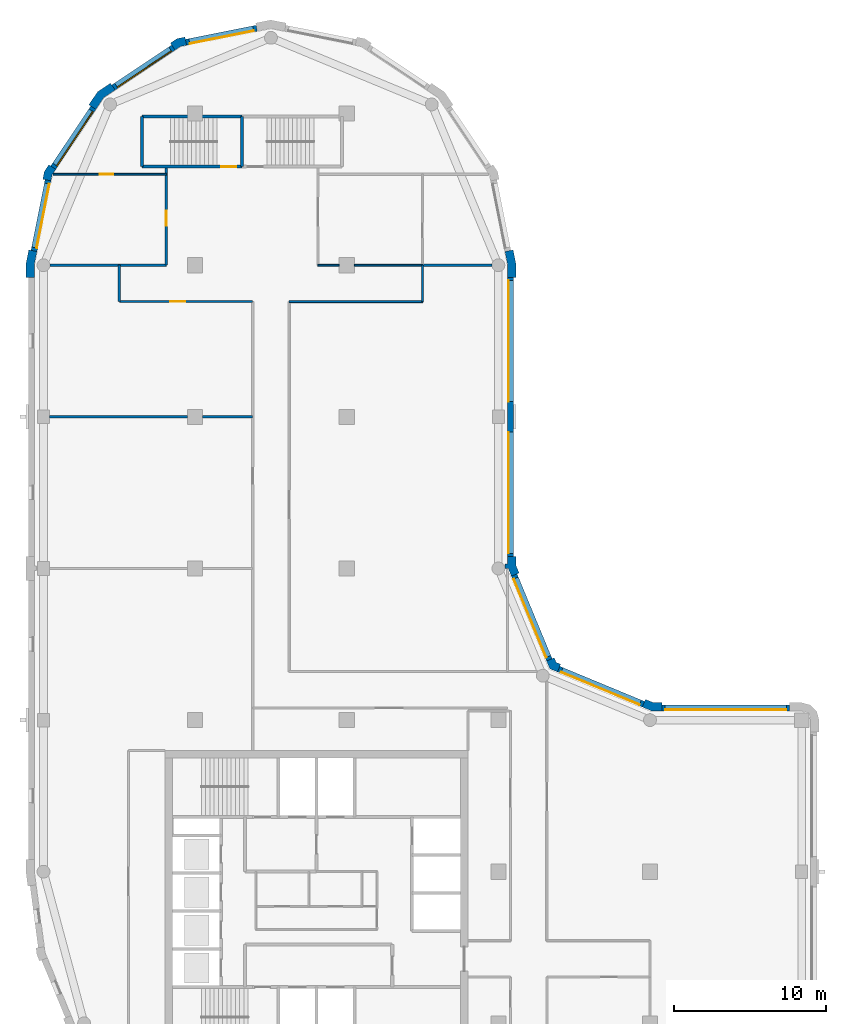
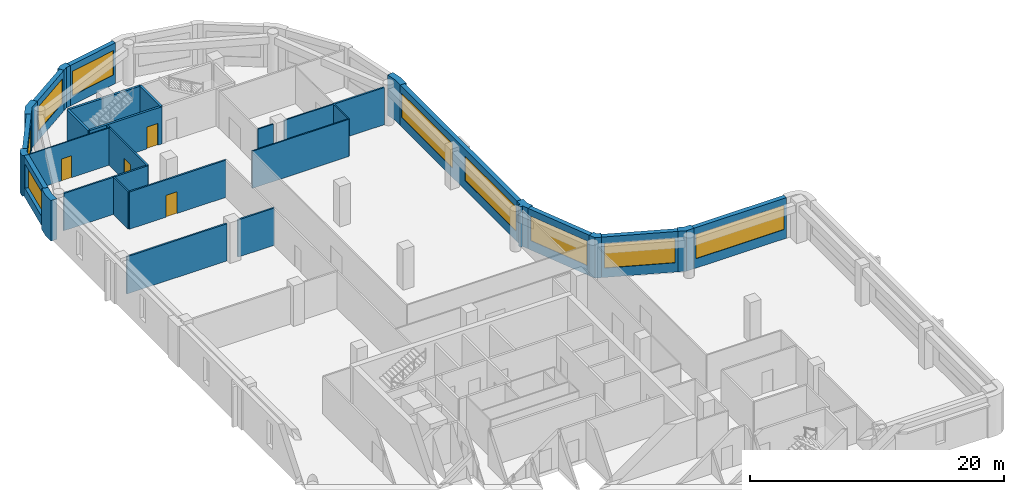
# One storey, part 5 of 9: 32 walls, 9 windows, 4 doors, 13 openings.
"""IFC4 building model written with IfcOpenShell, lengths in metres."""

from ifc_helpers import new_model, si_unit, direction, frame, frame_2d, origin, place, context, subcontext, project, spatial, polyline, rectangle, outline, extrude, material, layer, layer_set, type_object, element, fill, save


model = new_model("IFC4")

# Units and contexts
model_context = context("Model", 3, precision=1e-05, world=origin(), true_north=direction((0.0, 1.0)))
body_context = subcontext(model_context, "Body", "Model", "MODEL_VIEW")
ifc_project = project(units=[si_unit("LENGTHUNIT", "METRE"), si_unit("AREAUNIT", "SQUARE_METRE"), si_unit("VOLUMEUNIT", "CUBIC_METRE"), si_unit("PLANEANGLEUNIT", "RADIAN"), si_unit("MASSUNIT", "GRAM", prefix="KILO")], contexts=[model_context])

# Site, building, storey
site_placement = place(None, origin())
site = spatial("IfcSite", under=ifc_project, at=site_placement, CompositionType="ELEMENT")
building_placement = place(site_placement, origin())
building = spatial("IfcBuilding", under=site, at=building_placement, Name="Qaws Garden Tower", CompositionType="ELEMENT")
storey_placement = place(building_placement, frame((0.0, 0.0, 259.199951171875)))
storey = spatial("IfcBuildingStorey", under=building, at=storey_placement, Name="L62", CompositionType="ELEMENT", Elevation=259.199951171875)

# Wall, opening, window
ifc_material_1 = material(Name="Clay facing brick masonry", Category="masonry")
ifc_layer_1 = layer(ifc_material_1, 0.39990234375)
ifc_layer_set_1 = layer_set([ifc_layer_1], Name="Clay facing brick masonry")
wall_type_1 = type_object("IfcWallType", Name="Brick infill wall 400", PredefinedType="SOLIDWALL", material=ifc_layer_set_1)
wall_1_placement = place(storey_placement, frame((49.199951171875, 30.800048828125, 0.0), z_axis=(0.0, 0.0, 1.0), x_axis=(-1.0, 0.0, 0.0)))
wall_1 = element("IfcWall", 1, at=wall_1_placement, inside=storey, type_object=wall_type_1, Name="E-L62-infill-06", PredefinedType="SOLIDWALL", context=body_context, shape_type="SweptSolid", body=[
    extrude(rectangle(XDim=8.39990234375, YDim=0.39990234375, at=frame_2d((4.199951171875, 0.0))), origin(), (0.0, 0.0, 1.0), 3.900146484375),
])
opening_1_placement = place(wall_1_placement, frame((0.199951171875, 0.0, 0.89990234375)))
opening_1 = element("IfcOpeningElement", 2, at=opening_1_placement, cuts=wall_1, Name="Opening W01", PredefinedType="OPENING", context=body_context, shape_type="SweptSolid", body=[
    extrude(rectangle(XDim=8.0, YDim=2.35009765625, at=frame_2d((4.0, 1.175048828125))), frame((0.0, 0.2099609375, 0.0), z_axis=(0.0, -1.0, 0.0), x_axis=(1.0, 0.0, 0.0)), (0.0, 0.0, 1.0), 0.419921875),
])
ifc_material_2 = material(Name="Aluminium framed window, clear glazing", Category="aluminium")
window_type_1 = type_object("IfcWindowType", Name="Ribbon window 8000 x 2350", PartitioningType="DOUBLE_PANEL_VERTICAL", PredefinedType="WINDOW", material=ifc_material_2)
window_1_placement = place(opening_1_placement, origin())
window_1 = element("IfcWindow", 3, at=window_1_placement, inside=storey, type_object=window_type_1, Name="E-L62-window-06-0", OverallHeight=2.35009765625, OverallWidth=8.0, PartitioningType="SINGLE_PANEL", PredefinedType="WINDOW", context=body_context, shape_type="SweptSolid", body=[
    extrude(rectangle(XDim=8.0, YDim=2.35009765625, at=frame_2d((4.0, 1.175048828125))), frame((0.0, 0.159912109375, 0.0), z_axis=(0.0, -1.0, 0.0), x_axis=(1.0, 0.0, 0.0)), (0.0, 0.0, 1.0), 0.06005859375),
])
fill(opening_1, window_1)

wall_2_placement = place(storey_placement, frame((39.56689453125, 31.04541015625, 0.0), z_axis=(0.0, 0.0, 1.0), x_axis=(-0.923891000409, 0.382655745237, 0.0)))
wall_2 = element("IfcWall", 4, at=wall_2_placement, inside=storey, type_object=wall_type_1, Name="E-L62-infill-07", PredefinedType="SOLIDWALL", context=body_context, shape_type="SweptSolid", body=[
    extrude(rectangle(XDim=6.053466796875, YDim=0.39990234375, at=frame_2d((3.02685546875, 0.0))), origin(), (0.0, 0.0, 1.0), 3.900146484375),
])
opening_2_placement = place(wall_2_placement, frame((0.226806640625, 0.0, 0.89990234375)))
opening_2 = element("IfcOpeningElement", 5, at=opening_2_placement, cuts=wall_2, Name="Opening W04", PredefinedType="OPENING", context=body_context, shape_type="SweptSolid", body=[
    extrude(rectangle(XDim=5.60009765625, YDim=2.35009765625, at=frame_2d((2.800048828125, 1.175048828125))), frame((0.0, 0.2099609375, 0.0), z_axis=(0.0, -1.0, 0.0), x_axis=(1.0, 0.0, 0.0)), (0.0, 0.0, 1.0), 0.419921875),
])
ifc_material_3 = material(Name="Aluminium framed window, clear glazing", Category="aluminium")
window_type_2 = type_object("IfcWindowType", Name="Ribbon window 5600 x 2350", PartitioningType="DOUBLE_PANEL_VERTICAL", PredefinedType="WINDOW", material=ifc_material_3)
window_2_placement = place(opening_2_placement, origin())
window_2 = element("IfcWindow", 6, at=window_2_placement, inside=storey, type_object=window_type_2, Name="E-L62-window-07-0", OverallHeight=2.35009765625, OverallWidth=5.60009765625, PartitioningType="SINGLE_PANEL", PredefinedType="WINDOW", context=body_context, shape_type="SweptSolid", body=[
    extrude(rectangle(XDim=5.60009765625, YDim=2.35009765625, at=frame_2d((2.800048828125, 1.175048828125))), frame((0.0, 0.159912109375, 0.0), z_axis=(0.0, -1.0, 0.0), x_axis=(1.0, 0.0, 0.0)), (0.0, 0.0, 1.0), 0.06005859375),
])
fill(opening_2, window_2)

wall_3_placement = place(storey_placement, frame((33.36181640625, 33.97412109375, 0.0), z_axis=(0.0, 0.0, 1.0), x_axis=(-0.382655745237, 0.923891000409, 0.0)))
wall_3 = element("IfcWall", 7, at=wall_3_placement, inside=storey, type_object=wall_type_1, Name="E-L62-infill-08", PredefinedType="SOLIDWALL", context=body_context, shape_type="SweptSolid", body=[
    extrude(rectangle(XDim=6.053466796875, YDim=0.39990234375, at=frame_2d((3.02685546875, 0.0))), origin(), (0.0, 0.0, 1.0), 3.900146484375),
])
opening_3_placement = place(wall_3_placement, frame((0.226806640625, 0.0, 0.89990234375)))
opening_3 = element("IfcOpeningElement", 8, at=opening_3_placement, cuts=wall_3, Name="Opening W04", PredefinedType="OPENING", context=body_context, shape_type="SweptSolid", body=[
    extrude(rectangle(XDim=5.60009765625, YDim=2.35009765625, at=frame_2d((2.800048828125, 1.175048828125))), frame((0.0, 0.2099609375, 0.0), z_axis=(0.0, -1.0, 0.0), x_axis=(1.0, 0.0, 0.0)), (0.0, 0.0, 1.0), 0.419921875),
])
window_3_placement = place(opening_3_placement, origin())
window_3 = element("IfcWindow", 9, at=window_3_placement, inside=storey, type_object=window_type_2, Name="E-L62-window-08-0", OverallHeight=2.35009765625, OverallWidth=5.60009765625, PartitioningType="SINGLE_PANEL", PredefinedType="WINDOW", context=body_context, shape_type="SweptSolid", body=[
    extrude(rectangle(XDim=5.60009765625, YDim=2.35009765625, at=frame_2d((2.800048828125, 1.175048828125))), frame((0.0, 0.159912109375, 0.0), z_axis=(0.0, -1.0, 0.0), x_axis=(1.0, 0.0, 0.0)), (0.0, 0.0, 1.0), 0.06005859375),
])
fill(opening_3, window_3)

# Wall, openings, windows
wall_4_placement = place(storey_placement, frame((30.800048828125, 40.800048828125, 0.0), z_axis=(0.0, 0.0, 1.0), x_axis=(0.0, 1.0, 0.0)))
wall_4 = element("IfcWall", 10, at=wall_4_placement, inside=storey, type_object=wall_type_1, Name="E-L62-infill-09", PredefinedType="SOLIDWALL", context=body_context, shape_type="SweptSolid", body=[
    extrude(rectangle(XDim=18.39990234375, YDim=0.39990234375, at=frame_2d((9.199951171875, 0.0))), origin(), (0.0, 0.0, 1.0), 3.900146484375),
])
opening_4_placement = place(wall_4_placement, frame((0.199951171875, 0.0, 0.89990234375)))
opening_4 = element("IfcOpeningElement", 11, at=opening_4_placement, cuts=wall_4, Name="Opening W01", PredefinedType="OPENING", context=body_context, shape_type="SweptSolid", body=[
    extrude(rectangle(XDim=8.0, YDim=2.35009765625, at=frame_2d((4.0, 1.175048828125))), frame((0.0, 0.2099609375, 0.0), z_axis=(0.0, -1.0, 0.0), x_axis=(1.0, 0.0, 0.0)), (0.0, 0.0, 1.0), 0.419921875),
])
opening_5_placement = place(wall_4_placement, frame((10.199951171875, 0.0, 0.89990234375)))
opening_5 = element("IfcOpeningElement", 12, at=opening_5_placement, cuts=wall_4, Name="Opening W01", PredefinedType="OPENING", context=body_context, shape_type="SweptSolid", body=[
    extrude(rectangle(XDim=8.0, YDim=2.35009765625, at=frame_2d((4.0, 1.175048828125))), frame((0.0, 0.2099609375, 0.0), z_axis=(0.0, -1.0, 0.0), x_axis=(1.0, 0.0, 0.0)), (0.0, 0.0, 1.0), 0.419921875),
])
window_4_placement = place(opening_4_placement, origin())
window_4 = element("IfcWindow", 13, at=window_4_placement, inside=storey, type_object=window_type_1, Name="E-L62-window-09-0", OverallHeight=2.35009765625, OverallWidth=8.0, PartitioningType="SINGLE_PANEL", PredefinedType="WINDOW", context=body_context, shape_type="SweptSolid", body=[
    extrude(rectangle(XDim=8.0, YDim=2.35009765625, at=frame_2d((4.0, 1.175048828125))), frame((0.0, 0.159912109375, 0.0), z_axis=(0.0, -1.0, 0.0), x_axis=(1.0, 0.0, 0.0)), (0.0, 0.0, 1.0), 0.06005859375),
])
fill(opening_4, window_4)
window_5_placement = place(opening_5_placement, origin())
window_5 = element("IfcWindow", 14, at=window_5_placement, inside=storey, type_object=window_type_1, Name="E-L62-window-10-0", OverallHeight=2.35009765625, OverallWidth=8.0, PartitioningType="SINGLE_PANEL", PredefinedType="WINDOW", context=body_context, shape_type="SweptSolid", body=[
    extrude(rectangle(XDim=8.0, YDim=2.35009765625, at=frame_2d((4.0, 1.175048828125))), frame((0.0, 0.159912109375, 0.0), z_axis=(0.0, -1.0, 0.0), x_axis=(1.0, 0.0, 0.0)), (0.0, 0.0, 1.0), 0.06005859375),
])
fill(opening_5, window_5)

# Wall, opening, window
wall_5_placement = place(storey_placement, frame((14.059326171875, 75.628662109375, 0.0), z_axis=(0.0, 0.0, 1.0), x_axis=(-0.98078364709, -0.195098533057, 0.0)))
wall_5 = element("IfcWall", 15, at=wall_5_placement, inside=storey, type_object=wall_type_1, Name="E-L62-infill-15", PredefinedType="SOLIDWALL", context=body_context, shape_type="SweptSolid", body=[
    extrude(rectangle(XDim=4.752685546875, YDim=0.39990234375, at=frame_2d((2.37646484375, 0.0))), origin(), (0.0, 0.0, 1.0), 3.900146484375),
])
opening_6_placement = place(wall_5_placement, frame((0.226318359375, 0.0, 0.89990234375)))
opening_6 = element("IfcOpeningElement", 16, at=opening_6_placement, cuts=wall_5, Name="Opening W06", PredefinedType="OPENING", context=body_context, shape_type="SweptSolid", body=[
    extrude(rectangle(XDim=4.300048828125, YDim=2.35009765625, at=frame_2d((2.14990234375, 1.175048828125))), frame((0.0, 0.2099609375, 0.0), z_axis=(0.0, -1.0, 0.0), x_axis=(1.0, 0.0, 0.0)), (0.0, 0.0, 1.0), 0.419921875),
])
ifc_material_4 = material(Name="Aluminium framed window, clear glazing", Category="aluminium")
window_type_3 = type_object("IfcWindowType", Name="Ribbon window 4300 x 2350", PartitioningType="DOUBLE_PANEL_VERTICAL", PredefinedType="WINDOW", material=ifc_material_4)
window_6_placement = place(opening_6_placement, origin())
window_6 = element("IfcWindow", 17, at=window_6_placement, inside=storey, type_object=window_type_3, Name="E-L62-window-15-0", OverallHeight=2.35009765625, OverallWidth=4.300048828125, PartitioningType="SINGLE_PANEL", PredefinedType="WINDOW", context=body_context, shape_type="SweptSolid", body=[
    extrude(rectangle(XDim=4.300048828125, YDim=2.35009765625, at=frame_2d((2.14990234375, 1.175048828125))), frame((0.0, 0.159912109375, 0.0), z_axis=(0.0, -1.0, 0.0), x_axis=(1.0, 0.0, 0.0)), (0.0, 0.0, 1.0), 0.06005859375),
])
fill(opening_6, window_6)

wall_6_placement = place(storey_placement, frame((8.56591796875, 74.356689453125, 0.0), z_axis=(0.0, 0.0, 1.0), x_axis=(-0.831488775454, -0.555541552266, 0.0)))
wall_6 = element("IfcWall", 18, at=wall_6_placement, inside=storey, type_object=wall_type_1, Name="E-L62-infill-16", PredefinedType="SOLIDWALL", context=body_context, shape_type="SweptSolid", body=[
    extrude(rectangle(XDim=4.752685546875, YDim=0.39990234375, at=frame_2d((2.37646484375, 0.0))), origin(), (0.0, 0.0, 1.0), 3.900146484375),
])
opening_7_placement = place(wall_6_placement, frame((0.226318359375, 0.0, 0.89990234375)))
opening_7 = element("IfcOpeningElement", 19, at=opening_7_placement, cuts=wall_6, Name="Opening W06", PredefinedType="OPENING", context=body_context, shape_type="SweptSolid", body=[
    extrude(rectangle(XDim=4.300048828125, YDim=2.35009765625, at=frame_2d((2.14990234375, 1.175048828125))), frame((0.0, 0.2099609375, 0.0), z_axis=(0.0, -1.0, 0.0), x_axis=(1.0, 0.0, 0.0)), (0.0, 0.0, 1.0), 0.419921875),
])
window_7_placement = place(opening_7_placement, origin())
window_7 = element("IfcWindow", 20, at=window_7_placement, inside=storey, type_object=window_type_3, Name="E-L62-window-16-0", OverallHeight=2.35009765625, OverallWidth=4.300048828125, PartitioningType="SINGLE_PANEL", PredefinedType="WINDOW", context=body_context, shape_type="SweptSolid", body=[
    extrude(rectangle(XDim=4.300048828125, YDim=2.35009765625, at=frame_2d((2.14990234375, 1.175048828125))), frame((0.0, 0.159912109375, 0.0), z_axis=(0.0, -1.0, 0.0), x_axis=(1.0, 0.0, 0.0)), (0.0, 0.0, 1.0), 0.06005859375),
])
fill(opening_7, window_7)

wall_7_placement = place(storey_placement, frame((3.28369140625, 70.385986328125, 0.0), z_axis=(0.0, 0.0, 1.0), x_axis=(-0.555541552266, -0.831488775454, 0.0)))
wall_7 = element("IfcWall", 21, at=wall_7_placement, inside=storey, type_object=wall_type_1, Name="E-L62-infill-17", PredefinedType="SOLIDWALL", context=body_context, shape_type="SweptSolid", body=[
    extrude(rectangle(XDim=4.752685546875, YDim=0.39990234375, at=frame_2d((2.37646484375, 0.0))), origin(), (0.0, 0.0, 1.0), 3.900146484375),
])
opening_8_placement = place(wall_7_placement, frame((0.226318359375, 0.0, 0.89990234375)))
opening_8 = element("IfcOpeningElement", 22, at=opening_8_placement, cuts=wall_7, Name="Opening W06", PredefinedType="OPENING", context=body_context, shape_type="SweptSolid", body=[
    extrude(rectangle(XDim=4.300048828125, YDim=2.35009765625, at=frame_2d((2.14990234375, 1.175048828125))), frame((0.0, 0.2099609375, 0.0), z_axis=(0.0, -1.0, 0.0), x_axis=(1.0, 0.0, 0.0)), (0.0, 0.0, 1.0), 0.419921875),
])
window_8_placement = place(opening_8_placement, origin())
window_8 = element("IfcWindow", 23, at=window_8_placement, inside=storey, type_object=window_type_3, Name="E-L62-window-17-0", OverallHeight=2.35009765625, OverallWidth=4.300048828125, PartitioningType="SINGLE_PANEL", PredefinedType="WINDOW", context=body_context, shape_type="SweptSolid", body=[
    extrude(rectangle(XDim=4.300048828125, YDim=2.35009765625, at=frame_2d((2.14990234375, 1.175048828125))), frame((0.0, 0.159912109375, 0.0), z_axis=(0.0, -1.0, 0.0), x_axis=(1.0, 0.0, 0.0)), (0.0, 0.0, 1.0), 0.06005859375),
])
fill(opening_8, window_8)

wall_8_placement = place(storey_placement, frame((0.298583984375, 65.60205078125, 0.0), z_axis=(0.0, 0.0, 1.0), x_axis=(-0.195098533057, -0.98078364709, 0.0)))
wall_8 = element("IfcWall", 24, at=wall_8_placement, inside=storey, type_object=wall_type_1, Name="E-L62-infill-18", PredefinedType="SOLIDWALL", context=body_context, shape_type="SweptSolid", body=[
    extrude(rectangle(XDim=4.752685546875, YDim=0.39990234375, at=frame_2d((2.37646484375, 0.0))), origin(), (0.0, 0.0, 1.0), 3.900146484375),
])
opening_9_placement = place(wall_8_placement, frame((0.226318359375, 0.0, 0.89990234375)))
opening_9 = element("IfcOpeningElement", 25, at=opening_9_placement, cuts=wall_8, Name="Opening W06", PredefinedType="OPENING", context=body_context, shape_type="SweptSolid", body=[
    extrude(rectangle(XDim=4.300048828125, YDim=2.35009765625, at=frame_2d((2.14990234375, 1.175048828125))), frame((0.0, 0.2099609375, 0.0), z_axis=(0.0, -1.0, 0.0), x_axis=(1.0, 0.0, 0.0)), (0.0, 0.0, 1.0), 0.419921875),
])
window_9_placement = place(opening_9_placement, origin())
window_9 = element("IfcWindow", 26, at=window_9_placement, inside=storey, type_object=window_type_3, Name="E-L62-window-18-0", OverallHeight=2.35009765625, OverallWidth=4.300048828125, PartitioningType="SINGLE_PANEL", PredefinedType="WINDOW", context=body_context, shape_type="SweptSolid", body=[
    extrude(rectangle(XDim=4.300048828125, YDim=2.35009765625, at=frame_2d((2.14990234375, 1.175048828125))), frame((0.0, 0.159912109375, 0.0), z_axis=(0.0, -1.0, 0.0), x_axis=(1.0, 0.0, 0.0)), (0.0, 0.0, 1.0), 0.06005859375),
])
fill(opening_9, window_9)

# Walls
ifc_material_5 = material(Name="Clay facing brick masonry", Category="masonry")
ifc_layer_2 = layer(ifc_material_5, 0.550048828125)
ifc_layer_set_2 = layer_set([ifc_layer_2], Name="Clay facing brick masonry")
wall_type_2 = type_object("IfcWallType", Name="Brick kink pier 550 x 600", PredefinedType="SOLIDWALL", material=ifc_layer_set_2)
placement = place(storey_placement, origin())
element("IfcWall", 27, at=placement, inside=storey, type_object=wall_type_2, Name="E-L62-pier-16", PredefinedType="SOLIDWALL", context=body_context, shape_type="SweptSolid", body=[
    extrude(outline(polyline([(9.35888671875, 74.8974609375), (9.32958984375, 75.044677734375), (8.81103515625, 74.94140625), (8.371337890625, 74.647705078125), (8.454833984375, 74.52294921875), (8.677001953125, 74.1904296875), (9.025634765625, 74.42333984375), (9.43701171875, 74.505126953125), (9.35888671875, 74.8974609375)])), origin(), (0.0, 0.0, 1.0), 3.900146484375),
])
element("IfcWall", 28, at=placement, inside=storey, type_object=wall_type_2, Name="E-L62-pier-18", PredefinedType="SOLIDWALL", context=body_context, shape_type="SweptSolid", body=[
    extrude(outline(polyline([(0.47705078125, 66.545166015625), (0.352294921875, 66.628662109375), (0.05859375, 66.18896484375), (-0.044677734375, 65.67041015625), (0.1025390625, 65.64111328125), (0.494873046875, 65.56298828125), (0.57666015625, 65.974365234375), (0.8095703125, 66.322998046875), (0.47705078125, 66.545166015625)])), origin(), (0.0, 0.0, 1.0), 3.900146484375),
])
ifc_material_6 = material(Name="Clay facing brick masonry", Category="masonry")
ifc_layer_3 = layer(ifc_material_6, 0.550048828125)
ifc_layer_set_3 = layer_set([ifc_layer_3], Name="Clay facing brick masonry")
wall_type_3 = type_object("IfcWallType", Name="Brick pier 550 x 1600", PredefinedType="SOLIDWALL", material=ifc_layer_set_3)
element("IfcWall", 29, at=placement, inside=storey, type_object=wall_type_3, Name="E-L62-pier-07", PredefinedType="SOLIDWALL", context=body_context, shape_type="SweptSolid", body=[
    extrude(outline(polyline([(40.800048828125, 31.0), (40.800048828125, 31.14990234375), (40.228759765625, 31.14990234375), (39.700927734375, 31.36865234375), (39.6435546875, 31.22998046875), (39.490478515625, 30.860595703125), (40.119384765625, 30.60009765625), (40.800048828125, 30.60009765625), (40.800048828125, 31.0)])), origin(), (0.0, 0.0, 1.0), 3.900146484375),
])
element("IfcWall", 30, at=placement, inside=storey, type_object=wall_type_3, Name="E-L62-pier-08", PredefinedType="SOLIDWALL", context=body_context, shape_type="SweptSolid", body=[
    extrude(outline(polyline([(34.05078125, 33.546630859375), (34.108154296875, 33.685302734375), (33.80908203125, 33.80908203125), (33.685302734375, 34.108154296875), (33.546630859375, 34.05078125), (33.177001953125, 33.897705078125), (33.38818359375, 33.38818359375), (33.897705078125, 33.177001953125), (34.05078125, 33.546630859375)])), origin(), (0.0, 0.0, 1.0), 3.900146484375),
])
element("IfcWall", 31, at=placement, inside=storey, type_object=wall_type_3, Name="E-L62-pier-09", PredefinedType="SOLIDWALL", context=body_context, shape_type="SweptSolid", body=[
    extrude(outline(polyline([(30.6201171875, 39.995361328125), (30.6201171875, 40.071044921875), (30.860595703125, 39.490478515625), (31.22998046875, 39.6435546875), (31.36865234375, 39.700927734375), (31.14990234375, 40.228759765625), (31.14990234375, 40.800048828125), (31.0, 40.800048828125), (30.60009765625, 40.800048828125), (30.60009765625, 40.29541015625), (30.425048828125, 40.29541015625), (30.425048828125, 39.995361328125), (30.6201171875, 39.995361328125)])), origin(), (0.0, 0.0, 1.0), 3.900146484375),
])
element("IfcWall", 32, at=placement, inside=storey, type_object=wall_type_3, Name="E-L62-pier-11", PredefinedType="SOLIDWALL", context=body_context, shape_type="SweptSolid", body=[
    extrude(outline(polyline([(31.0, 59.199951171875), (31.14990234375, 59.199951171875), (31.14990234375, 60.11328125), (30.971923828125, 61.009033203125), (30.82470703125, 60.979736328125), (30.432373046875, 60.901611328125), (30.60009765625, 60.05908203125), (30.60009765625, 59.199951171875), (31.0, 59.199951171875)])), origin(), (0.0, 0.0, 1.0), 3.900146484375),
])
element("IfcWall", 33, at=placement, inside=storey, type_object=wall_type_3, Name="E-L62-pier-17", PredefinedType="SOLIDWALL", context=body_context, shape_type="SweptSolid", body=[
    extrude(outline(polyline([(4.5029296875, 71.882568359375), (4.419677734375, 72.00732421875), (3.564208984375, 71.435791015625), (2.99267578125, 70.580322265625), (3.117431640625, 70.4970703125), (3.449951171875, 70.274658203125), (3.9609375, 71.0390625), (4.725341796875, 71.550048828125), (4.5029296875, 71.882568359375)])), origin(), (0.0, 0.0, 1.0), 3.900146484375),
])
element("IfcWall", 34, at=placement, inside=storey, type_object=wall_type_3, Name="E-L62-pier-19", PredefinedType="SOLIDWALL", context=body_context, shape_type="SweptSolid", body=[
    extrude(outline(polyline([(-0.82470703125, 60.979736328125), (-0.971923828125, 61.009033203125), (-1.14990234375, 60.11328125), (-1.14990234375, 59.199951171875), (-1.0, 59.199951171875), (-0.60009765625, 59.199951171875), (-0.60009765625, 60.05908203125), (-0.432373046875, 60.901611328125), (-0.82470703125, 60.979736328125)])), origin(), (0.0, 0.0, 1.0), 3.900146484375),
])

# Wall, opening, door
ifc_material_7 = material(Name="Concrete C60", Category="concrete")
ifc_layer_4 = layer(ifc_material_7, 0.199951171875)
ifc_layer_set_4 = layer_set([ifc_layer_4], Name="Concrete C60")
wall_type_4 = type_object("IfcWallType", Name="Core shaft wall 200 C60", PredefinedType="SHEAR", material=ifc_layer_set_4)
wall_17_placement = place(storey_placement, frame((6.5, 66.5, 0.0), z_axis=(0.0, 0.0, 1.0), x_axis=(1.0, 0.0, 0.0)))
wall_17 = element("IfcWall", 35, at=wall_17_placement, inside=storey, type_object=wall_type_4, Name="Shaft wall", PredefinedType="SHEAR", context=body_context, shape_type="SweptSolid", body=[
    extrude(rectangle(XDim=6.60009765625, YDim=0.199951171875, at=frame_2d((3.300048828125, 0.0))), origin(), (0.0, 0.0, 1.0), 3.580078125),
])
opening_10_placement = place(wall_17_placement, frame((5.22509765625, 0.0, 0.0)))
opening_10 = element("IfcOpeningElement", 36, at=opening_10_placement, cuts=wall_17, Name="Opening SD13", PredefinedType="OPENING", context=body_context, shape_type="SweptSolid", body=[
    extrude(rectangle(XDim=1.0, YDim=2.10009765625, at=frame_2d((0.5, 1.050048828125))), frame((0.0, 0.10986328125, 0.0), z_axis=(0.0, -1.0, 0.0), x_axis=(1.0, 0.0, 0.0)), (0.0, 0.0, 1.0), 0.219970703125),
])
ifc_material_8 = material(Name="Steel S235", Category="steel")
door_type_1 = type_object("IfcDoorType", Name="Stair door 1000x2100", OperationType="SINGLE_SWING_RIGHT", PredefinedType="DOOR", material=ifc_material_8)
door_1_placement = place(opening_10_placement, origin())
door_1 = element("IfcDoor", 37, at=door_1_placement, inside=storey, type_object=door_type_1, Name="Stair 6 door", OperationType="SINGLE_SWING_RIGHT", OverallHeight=2.10009765625, OverallWidth=1.0, PredefinedType="DOOR", context=body_context, shape_type="SweptSolid", body=[
    extrude(rectangle(XDim=1.0, YDim=2.10009765625, at=frame_2d((0.5, 1.050048828125))), frame((0.0, 0.02490234375, 0.0), z_axis=(0.0, -1.0, 0.0), x_axis=(1.0, 0.0, 0.0)), (0.0, 0.0, 1.0), 0.050048828125),
])
fill(opening_10, door_1)

# Walls
wall_18_placement = place(storey_placement, frame((6.5, 69.800048828125, 0.0), z_axis=(0.0, 0.0, 1.0), x_axis=(1.0, 0.0, 0.0)))
element("IfcWall", 38, at=wall_18_placement, inside=storey, type_object=wall_type_4, Name="Shaft wall", PredefinedType="SHEAR", context=body_context, shape_type="SweptSolid", body=[
    extrude(rectangle(XDim=6.60009765625, YDim=0.199951171875, at=frame_2d((3.300048828125, 0.0))), origin(), (0.0, 0.0, 1.0), 3.580078125),
])
for number, where, z_axis, x_axis, name in (
    (39, (6.5, 66.5, 0.0), (0.0, 0.0, 1.0), (0.0, 1.0, 0.0), "Shaft wall"),
    (40, (13.10009765625, 66.5, 0.0), (0.0, 0.0, 1.0), (0.0, 1.0, 0.0), "Shaft wall"),
):
    element("IfcWall", number, at=place(storey_placement, frame(where, z_axis=z_axis, x_axis=x_axis)), inside=storey, type_object=wall_type_4, Name=name, PredefinedType="SHEAR", context=body_context, shape_type="SweptSolid", body=[
        extrude(rectangle(XDim=3.300048828125, YDim=0.199951171875, at=frame_2d((1.64990234375, 0.0))), origin(), (0.0, 0.0, 1.0), 3.580078125),
    ])
ifc_material_9 = material(Name="Glass and aluminium framing", Category="aluminium")
ifc_layer_5 = layer(ifc_material_9, 0.1201171875)
ifc_layer_set_5 = layer_set([ifc_layer_5], Name="Glass and aluminium framing")
wall_type_5 = type_object("IfcWallType", Name="GLAZED PARTITION 120 EI 30", PredefinedType="PARTITIONING", material=ifc_layer_set_5)
wall_19_placement = place(storey_placement, frame((25.0, 57.60009765625, 0.0), z_axis=(0.0, 0.0, 1.0), x_axis=(0.0, 1.0, 0.0)))
element("IfcWall", 41, at=wall_19_placement, inside=storey, type_object=wall_type_5, Name="O-L62-wall-038", PredefinedType="PARTITIONING", context=body_context, shape_type="SweptSolid", body=[
    extrude(rectangle(XDim=2.39990234375, YDim=0.1201171875, at=frame_2d((1.199951171875, 0.0))), origin(), (0.0, 0.0, 1.0), 3.580078125),
])
wall_20_placement = place(storey_placement, frame((16.199951171875, 57.60009765625, 0.0), z_axis=(0.0, 0.0, 1.0), x_axis=(1.0, 0.0, 0.0)))
element("IfcWall", 42, at=wall_20_placement, inside=storey, type_object=wall_type_5, Name="O-L62-wall-046", PredefinedType="PARTITIONING", context=body_context, shape_type="SweptSolid", body=[
    extrude(rectangle(XDim=8.800048828125, YDim=0.1201171875, at=frame_2d((4.39990234375, 0.0))), origin(), (0.0, 0.0, 1.0), 3.580078125),
])
wall_21_placement = place(storey_placement, frame((18.10009765625, 60.0, 0.0), z_axis=(0.0, 0.0, 1.0), x_axis=(1.0, 0.0, 0.0)))
element("IfcWall", 43, at=wall_21_placement, inside=storey, type_object=wall_type_5, Name="O-L62-wall-047", PredefinedType="PARTITIONING", context=body_context, shape_type="SweptSolid", body=[
    extrude(rectangle(XDim=1.39990234375, YDim=0.1201171875, at=frame_2d((0.699951171875, 0.0))), origin(), (0.0, 0.0, 1.0), 3.580078125),
])
wall_22_placement = place(storey_placement, frame((20.5, 60.0, 0.0), z_axis=(0.0, 0.0, 1.0), x_axis=(1.0, 0.0, 0.0)))
element("IfcWall", 44, at=wall_22_placement, inside=storey, type_object=wall_type_5, Name="O-L62-wall-048", PredefinedType="PARTITIONING", context=body_context, shape_type="SweptSolid", body=[
    extrude(rectangle(XDim=4.5, YDim=0.1201171875, at=frame_2d((2.25, 0.0))), origin(), (0.0, 0.0, 1.0), 3.580078125),
])

# Wall, opening, door
ifc_material_10 = material(Name="Gypsum board partition")
ifc_layer_6 = layer(ifc_material_10, 0.10009765625)
ifc_layer_set_6 = layer_set([ifc_layer_6], Name="Gypsum board partition")
wall_type_6 = type_object("IfcWallType", Name="PARTITION 100", PredefinedType="PARTITIONING", material=ifc_layer_set_6)
wall_23_placement = place(storey_placement, frame((0.627197265625, 66.0, 0.0), z_axis=(0.0, 0.0, 1.0), x_axis=(1.0, 0.0, 0.0)))
wall_23 = element("IfcWall", 45, at=wall_23_placement, inside=storey, type_object=wall_type_6, Name="O-L62-wall-002", PredefinedType="PARTITIONING", context=body_context, shape_type="SweptSolid", body=[
    extrude(rectangle(XDim=7.472900390625, YDim=0.10009765625, at=frame_2d((3.736328125, 0.0))), origin(), (0.0, 0.0, 1.0), 3.580078125),
])
opening_11_placement = place(wall_23_placement, frame((3.080810546875, 0.0, 0.0)))
opening_11 = element("IfcOpeningElement", 46, at=opening_11_placement, cuts=wall_23, Name="Opening C117", PredefinedType="OPENING", context=body_context, shape_type="SweptSolid", body=[
    extrude(rectangle(XDim=0.89990234375, YDim=2.10009765625, at=frame_2d((0.449951171875, 1.050048828125))), frame((0.0, 0.06005859375, 0.0), z_axis=(0.0, -1.0, 0.0), x_axis=(1.0, 0.0, 0.0)), (0.0, 0.0, 1.0), 0.1201171875),
])
ifc_material_11 = material(Name="Timber door leaf", Category="wood")
door_type_2 = type_object("IfcDoorType", Name="OFFICE DOOR 900 X 2100", OperationType="SINGLE_SWING_LEFT", PredefinedType="DOOR", material=ifc_material_11)
door_2_placement = place(opening_11_placement, frame((0.89990234375, 0.0, 0.0), z_axis=(0.0, 0.0, 1.0), x_axis=(-1.0, 0.0, 0.0)))
door_2 = element("IfcDoor", 47, at=door_2_placement, inside=storey, type_object=door_type_2, Name="O-L62-door-017", OperationType="SINGLE_SWING_LEFT", OverallHeight=2.10009765625, OverallWidth=0.89990234375, PredefinedType="DOOR", context=body_context, shape_type="SweptSolid", body=[
    extrude(rectangle(XDim=0.89990234375, YDim=2.10009765625, at=frame_2d((0.449951171875, 1.050048828125))), frame((0.0, 0.02490234375, 0.0), z_axis=(0.0, -1.0, 0.0), x_axis=(1.0, 0.0, 0.0)), (0.0, 0.0, 1.0), 0.050048828125),
])
fill(opening_11, door_2)

# Wall
ifc_material_12 = material(Name="Gypsum board partition")
ifc_layer_7 = layer(ifc_material_12, 0.14990234375)
ifc_layer_set_7 = layer_set([ifc_layer_7], Name="Gypsum board partition")
wall_type_7 = type_object("IfcWallType", Name="PARTITION 150 EI 60", PredefinedType="PARTITIONING", material=ifc_layer_set_7)
wall_24_placement = place(storey_placement, frame((5.0, 57.60009765625, 0.0), z_axis=(0.0, 0.0, 1.0), x_axis=(0.0, 1.0, 0.0)))
element("IfcWall", 48, at=wall_24_placement, inside=storey, type_object=wall_type_7, Name="O-L62-wall-003", PredefinedType="PARTITIONING", context=body_context, shape_type="SweptSolid", body=[
    extrude(rectangle(XDim=2.39990234375, YDim=0.14990234375, at=frame_2d((1.199951171875, 0.0))), origin(), (0.0, 0.0, 1.0), 3.580078125),
])

# Wall, opening, door
wall_25_placement = place(storey_placement, frame((8.10009765625, 60.0, 0.0), z_axis=(0.0, 0.0, 1.0), x_axis=(0.0, 1.0, 0.0)))
wall_25 = element("IfcWall", 49, at=wall_25_placement, inside=storey, type_object=wall_type_7, Name="O-L62-wall-005", PredefinedType="PARTITIONING", context=body_context, shape_type="SweptSolid", body=[
    extrude(rectangle(XDim=6.39990234375, YDim=0.14990234375, at=frame_2d((3.199951171875, 0.0))), origin(), (0.0, 0.0, 1.0), 3.580078125),
])
opening_12_placement = place(wall_25_placement, frame((2.60009765625, 0.0, 0.0)))
opening_12 = element("IfcOpeningElement", 50, at=opening_12_placement, cuts=wall_25, Name="Opening C105", PredefinedType="OPENING", context=body_context, shape_type="SweptSolid", body=[
    extrude(rectangle(XDim=1.0, YDim=2.10009765625, at=frame_2d((0.5, 1.050048828125))), frame((0.0, 0.0849609375, 0.0), z_axis=(0.0, -1.0, 0.0), x_axis=(1.0, 0.0, 0.0)), (0.0, 0.0, 1.0), 0.169921875),
])
ifc_material_13 = material(Name="Timber door leaf", Category="wood")
door_type_3 = type_object("IfcDoorType", Name="TENANCY ENTRANCE DOOR 1000 X 2100", OperationType="SINGLE_SWING_LEFT", PredefinedType="DOOR", material=ifc_material_13)
door_3_placement = place(opening_12_placement, origin())
door_3 = element("IfcDoor", 51, at=door_3_placement, inside=storey, type_object=door_type_3, Name="O-L62-door-005", OperationType="SINGLE_SWING_LEFT", OverallHeight=2.10009765625, OverallWidth=1.0, PredefinedType="DOOR", context=body_context, shape_type="SweptSolid", body=[
    extrude(rectangle(XDim=1.0, YDim=2.10009765625, at=frame_2d((0.5, 1.050048828125))), frame((0.0, 0.02490234375, 0.0), z_axis=(0.0, -1.0, 0.0), x_axis=(1.0, 0.0, 0.0)), (0.0, 0.0, 1.0), 0.050048828125),
])
fill(opening_12, door_3)

# Walls
wall_26_placement = place(storey_placement, frame((0.39990234375, 50.0, 0.0), z_axis=(0.0, 0.0, 1.0), x_axis=(1.0, 0.0, 0.0)))
element("IfcWall", 52, at=wall_26_placement, inside=storey, type_object=wall_type_7, Name="O-L62-wall-030", PredefinedType="PARTITIONING", context=body_context, shape_type="SweptSolid", body=[
    extrude(rectangle(XDim=9.10009765625, YDim=0.14990234375, at=frame_2d((4.550048828125, 0.0))), origin(), (0.0, 0.0, 1.0), 3.580078125),
])
wall_27_placement = place(storey_placement, frame((10.5, 50.0, 0.0), z_axis=(0.0, 0.0, 1.0), x_axis=(1.0, 0.0, 0.0)))
element("IfcWall", 53, at=wall_27_placement, inside=storey, type_object=wall_type_7, Name="O-L62-wall-031", PredefinedType="PARTITIONING", context=body_context, shape_type="SweptSolid", body=[
    extrude(rectangle(XDim=3.300048828125, YDim=0.14990234375, at=frame_2d((1.64990234375, 0.0))), origin(), (0.0, 0.0, 1.0), 3.580078125),
])

# Wall, opening, door
wall_28_placement = place(storey_placement, frame((5.0, 57.60009765625, 0.0), z_axis=(0.0, 0.0, 1.0), x_axis=(1.0, 0.0, 0.0)))
wall_28 = element("IfcWall", 54, at=wall_28_placement, inside=storey, type_object=wall_type_7, Name="O-L62-wall-032", PredefinedType="PARTITIONING", context=body_context, shape_type="SweptSolid", body=[
    extrude(rectangle(XDim=8.800048828125, YDim=0.14990234375, at=frame_2d((4.39990234375, 0.0))), origin(), (0.0, 0.0, 1.0), 3.580078125),
])
opening_13_placement = place(wall_28_placement, frame((3.35009765625, 0.0, 0.0)))
opening_13 = element("IfcOpeningElement", 55, at=opening_13_placement, cuts=wall_28, Name="Opening C103", PredefinedType="OPENING", context=body_context, shape_type="SweptSolid", body=[
    extrude(rectangle(XDim=1.0, YDim=2.10009765625, at=frame_2d((0.5, 1.050048828125))), frame((0.0, 0.0849609375, 0.0), z_axis=(0.0, -1.0, 0.0), x_axis=(1.0, 0.0, 0.0)), (0.0, 0.0, 1.0), 0.169921875),
])
door_4_placement = place(opening_13_placement, frame((1.0, 0.0, 0.0), z_axis=(0.0, 0.0, 1.0), x_axis=(-1.0, 0.0, 0.0)))
door_4 = element("IfcDoor", 56, at=door_4_placement, inside=storey, type_object=door_type_3, Name="O-L62-door-003", OperationType="SINGLE_SWING_LEFT", OverallHeight=2.10009765625, OverallWidth=1.0, PredefinedType="DOOR", context=body_context, shape_type="SweptSolid", body=[
    extrude(rectangle(XDim=1.0, YDim=2.10009765625, at=frame_2d((0.5, 1.050048828125))), frame((0.0, 0.02490234375, 0.0), z_axis=(0.0, -1.0, 0.0), x_axis=(1.0, 0.0, 0.0)), (0.0, 0.0, 1.0), 0.050048828125),
])
fill(opening_13, door_4)

# Walls
wall_29_placement = place(storey_placement, frame((0.425048828125, 60.0, 0.0), z_axis=(0.0, 0.0, 1.0), x_axis=(1.0, 0.0, 0.0)))
element("IfcWall", 57, at=wall_29_placement, inside=storey, type_object=wall_type_7, Name="O-L62-wall-033", PredefinedType="PARTITIONING", context=body_context, shape_type="SweptSolid", body=[
    extrude(rectangle(XDim=7.675048828125, YDim=0.14990234375, at=frame_2d((3.83740234375, 0.0))), origin(), (0.0, 0.0, 1.0), 3.580078125),
])
wall_30_placement = place(storey_placement, frame((25.0, 60.0, 0.0), z_axis=(0.0, 0.0, 1.0), x_axis=(1.0, 0.0, 0.0)))
element("IfcWall", 58, at=wall_30_placement, inside=storey, type_object=wall_type_7, Name="O-L62-wall-034", PredefinedType="PARTITIONING", context=body_context, shape_type="SweptSolid", body=[
    extrude(rectangle(XDim=4.574951171875, YDim=0.14990234375, at=frame_2d((2.28759765625, 0.0))), origin(), (0.0, 0.0, 1.0), 3.580078125),
])

save(model, "model.ifc")
